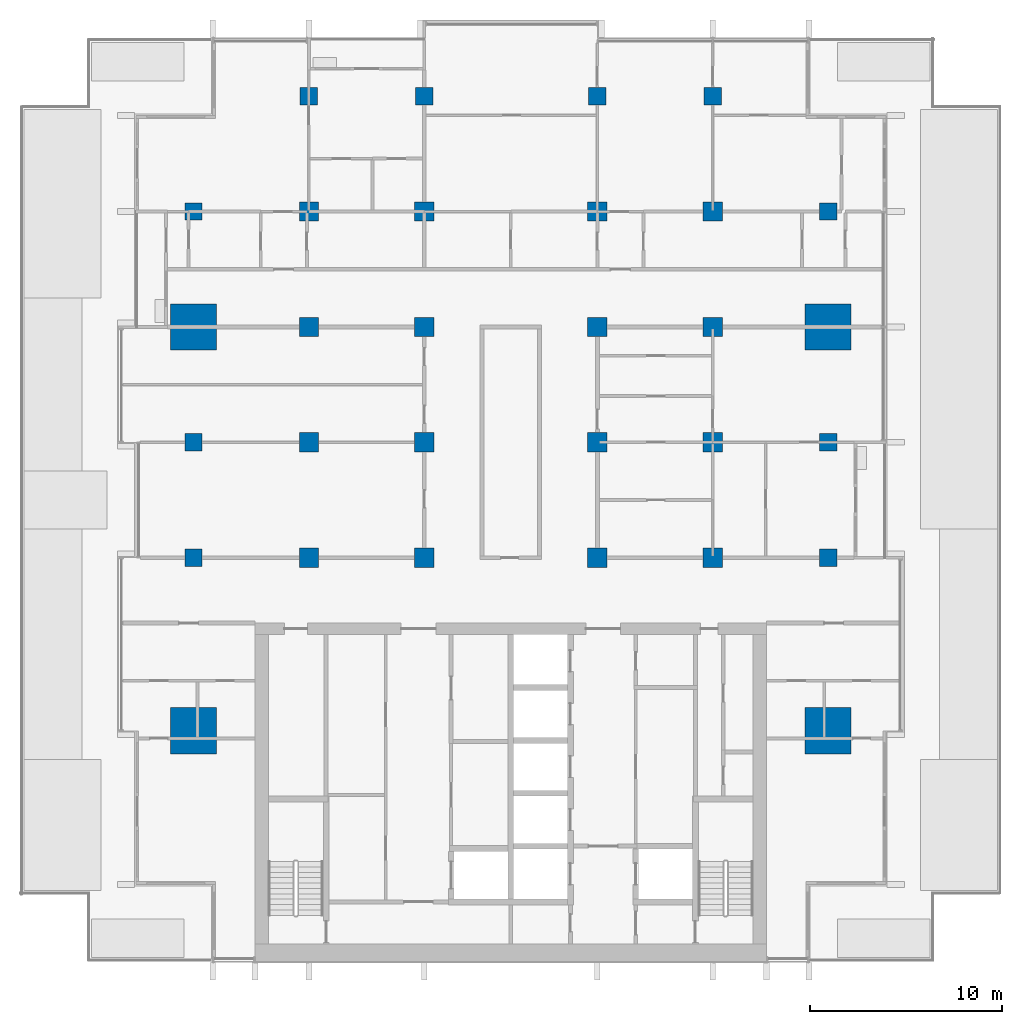
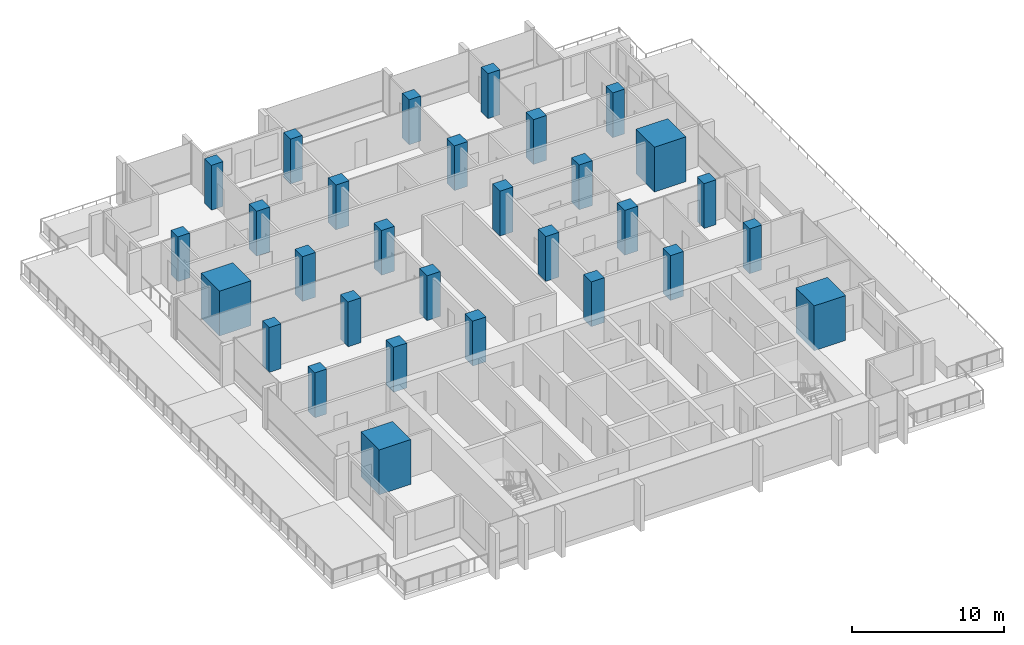
# One storey, part 1 of 18: 30 columns.
"""IFC4 building model written with IfcOpenShell, lengths in metres."""

from ifc_helpers import new_model, si_unit, direction, frame, origin, origin_2d, place, context, subcontext, project, spatial, rectangle, extrude, material, material_profile, profile_set, type_object, element, save


model = new_model("IFC4")

# Units and contexts
model_context = context("Model", 3, precision=1e-05, world=origin(), true_north=direction((0.0, 1.0)))
body_context = subcontext(model_context, "Body", "Model", "MODEL_VIEW")
ifc_project = project(units=[si_unit("LENGTHUNIT", "METRE"), si_unit("AREAUNIT", "SQUARE_METRE"), si_unit("VOLUMEUNIT", "CUBIC_METRE"), si_unit("PLANEANGLEUNIT", "RADIAN"), si_unit("MASSUNIT", "GRAM", prefix="KILO")], contexts=[model_context])

# Site, building, storey
site_placement = place(None, origin())
site = spatial("IfcSite", under=ifc_project, at=site_placement, CompositionType="ELEMENT")
building_placement = place(site_placement, origin())
building = spatial("IfcBuilding", under=site, at=building_placement, Name="Finial Court Residences", CompositionType="ELEMENT")
storey_placement = place(building_placement, frame((0.0, 0.0, 149.300048828125)))
storey = spatial("IfcBuildingStorey", under=building, at=storey_placement, Name="L36", CompositionType="ELEMENT", Elevation=149.300048828125)

# Columns
ifc_material = material(Name="Concrete C60/75", Category="concrete")
ifc_material_profile_1 = material_profile(ifc_material, rectangle(XDim=1.0, YDim=1.0, at=origin_2d()), Name="1000x1000")
ifc_profile_set_1 = profile_set([ifc_material_profile_1], Name="Concrete C60/75")
column_type_1 = type_object("IfcColumnType", Name="Interior column 1000x1000 Concrete C60/75", PredefinedType="COLUMN", material=ifc_profile_set_1)
for number, where, z_axis, x_axis, name in (
    (1, (-10.5, -4.5, 0.0), (0.0, 0.0, 1.0), (1.0, 0.0, 0.0), "S:COL:L36:D4"),
    (2, (-10.5, 1.5, 0.0), (0.0, 0.0, 1.0), (1.0, 0.0, 0.0), "S:COL:L36:D5"),
    (3, (-10.5, 7.5, 0.0), (0.0, 0.0, 1.0), (1.0, 0.0, 0.0), "S:COL:L36:D6"),
    (4, (-10.5, 13.5, 0.0), (0.0, 0.0, 1.0), (1.0, 0.0, 0.0), "S:COL:L36:D7"),
    (5, (-4.5, -4.5, 0.0), (0.0, 0.0, 1.0), (1.0, 0.0, 0.0), "S:COL:L36:E4"),
    (6, (-4.5, 1.5, 0.0), (0.0, 0.0, 1.0), (1.0, 0.0, 0.0), "S:COL:L36:E5"),
    (7, (-4.5, 7.5, 0.0), (0.0, 0.0, 1.0), (1.0, 0.0, 0.0), "S:COL:L36:E6"),
    (8, (-4.5, 13.5, 0.0), (0.0, 0.0, 1.0), (1.0, 0.0, 0.0), "S:COL:L36:E7"),
    (9, (4.5, -4.5, 0.0), (0.0, 0.0, 1.0), (1.0, 0.0, 0.0), "S:COL:L36:F4"),
    (10, (4.5, 1.5, 0.0), (0.0, 0.0, 1.0), (1.0, 0.0, 0.0), "S:COL:L36:F5"),
    (11, (4.5, 7.5, 0.0), (0.0, 0.0, 1.0), (1.0, 0.0, 0.0), "S:COL:L36:F6"),
    (12, (4.5, 13.5, 0.0), (0.0, 0.0, 1.0), (1.0, 0.0, 0.0), "S:COL:L36:F7"),
    (13, (10.5, -4.5, 0.0), (0.0, 0.0, 1.0), (1.0, 0.0, 0.0), "S:COL:L36:G4"),
    (14, (10.5, 1.5, 0.0), (0.0, 0.0, 1.0), (1.0, 0.0, 0.0), "S:COL:L36:G5"),
    (15, (10.5, 7.5, 0.0), (0.0, 0.0, 1.0), (1.0, 0.0, 0.0), "S:COL:L36:G6"),
    (16, (10.5, 13.5, 0.0), (0.0, 0.0, 1.0), (1.0, 0.0, 0.0), "S:COL:L36:G7"),
):
    element("IfcColumn", number, at=place(storey_placement, frame(where, z_axis=z_axis, x_axis=x_axis)), inside=storey, type_object=column_type_1, Name=name, PredefinedType="COLUMN", context=body_context, shape_type="SweptSolid", body=[
        extrude(rectangle(XDim=1.0, YDim=1.0, at=origin_2d()), origin(), (0.0, 0.0, 1.0), 3.599853515625),
    ])
ifc_material_profile_2 = material_profile(ifc_material, rectangle(XDim=2.39990234375, YDim=2.39990234375, at=origin_2d()), Name="2400x2400")
ifc_profile_set_2 = profile_set([ifc_material_profile_2], Name="Concrete C60/75")
column_type_2 = type_object("IfcColumnType", Name="Mega column 2400x2400 Concrete C60/75", PredefinedType="COLUMN", material=ifc_profile_set_2)
for number, where, z_axis, x_axis, name in (
    (17, (-16.5, -13.5, 0.0), (0.0, 0.0, 1.0), (1.0, 0.0, 0.0), "S:COL:L36:C3"),
    (18, (-16.5, 7.5, 0.0), (0.0, 0.0, 1.0), (1.0, 0.0, 0.0), "S:COL:L36:C6"),
    (19, (16.5, -13.5, 0.0), (0.0, 0.0, 1.0), (1.0, 0.0, 0.0), "S:COL:L36:H3"),
    (20, (16.5, 7.5, 0.0), (0.0, 0.0, 1.0), (1.0, 0.0, 0.0), "S:COL:L36:H6"),
):
    element("IfcColumn", number, at=place(storey_placement, frame(where, z_axis=z_axis, x_axis=x_axis)), inside=storey, type_object=column_type_2, Name=name, PredefinedType="COLUMN", context=body_context, shape_type="SweptSolid", body=[
        extrude(rectangle(XDim=2.39990234375, YDim=2.39990234375, at=origin_2d()), origin(), (0.0, 0.0, 1.0), 3.599853515625),
    ])
ifc_material_profile_3 = material_profile(ifc_material, rectangle(XDim=0.89990234375, YDim=0.89990234375, at=origin_2d()), Name="900x900")
ifc_profile_set_3 = profile_set([ifc_material_profile_3], Name="Concrete C60/75")
column_type_3 = type_object("IfcColumnType", Name="Perimeter column 900x900 Concrete C60/75", PredefinedType="COLUMN", material=ifc_profile_set_3)
for number, where, z_axis, x_axis, name in (
    (21, (-16.5, -4.5, 0.0), (0.0, 0.0, 1.0), (1.0, 0.0, 0.0), "S:COL:L36:C4"),
    (22, (-16.5, 1.5, 0.0), (0.0, 0.0, 1.0), (1.0, 0.0, 0.0), "S:COL:L36:C5"),
    (23, (-16.5, 13.5, 0.0), (0.0, 0.0, 1.0), (1.0, 0.0, 0.0), "S:COL:L36:C7"),
    (24, (-10.5, 19.5, 0.0), (0.0, 0.0, 1.0), (1.0, 0.0, 0.0), "S:COL:L36:D8"),
    (25, (-4.5, 19.5, 0.0), (0.0, 0.0, 1.0), (1.0, 0.0, 0.0), "S:COL:L36:E8"),
    (26, (4.5, 19.5, 0.0), (0.0, 0.0, 1.0), (1.0, 0.0, 0.0), "S:COL:L36:F8"),
    (27, (10.5, 19.5, 0.0), (0.0, 0.0, 1.0), (1.0, 0.0, 0.0), "S:COL:L36:G8"),
    (28, (16.5, -4.5, 0.0), (0.0, 0.0, 1.0), (1.0, 0.0, 0.0), "S:COL:L36:H4"),
    (29, (16.5, 1.5, 0.0), (0.0, 0.0, 1.0), (1.0, 0.0, 0.0), "S:COL:L36:H5"),
    (30, (16.5, 13.5, 0.0), (0.0, 0.0, 1.0), (1.0, 0.0, 0.0), "S:COL:L36:H7"),
):
    element("IfcColumn", number, at=place(storey_placement, frame(where, z_axis=z_axis, x_axis=x_axis)), inside=storey, type_object=column_type_3, Name=name, PredefinedType="COLUMN", context=body_context, shape_type="SweptSolid", body=[
        extrude(rectangle(XDim=0.89990234375, YDim=0.89990234375, at=origin_2d()), origin(), (0.0, 0.0, 1.0), 3.599853515625),
    ])

save(model, "model.ifc")
